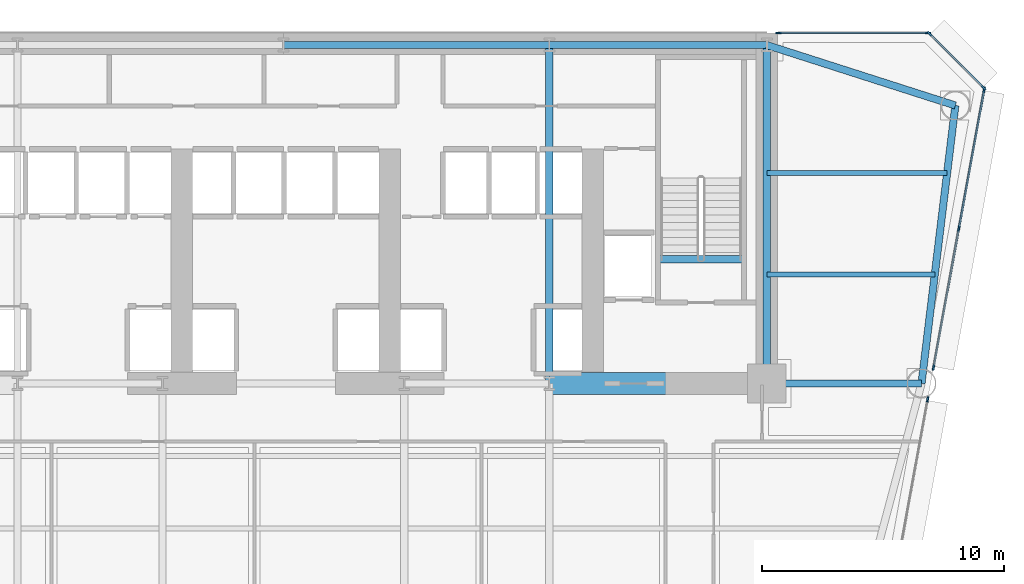
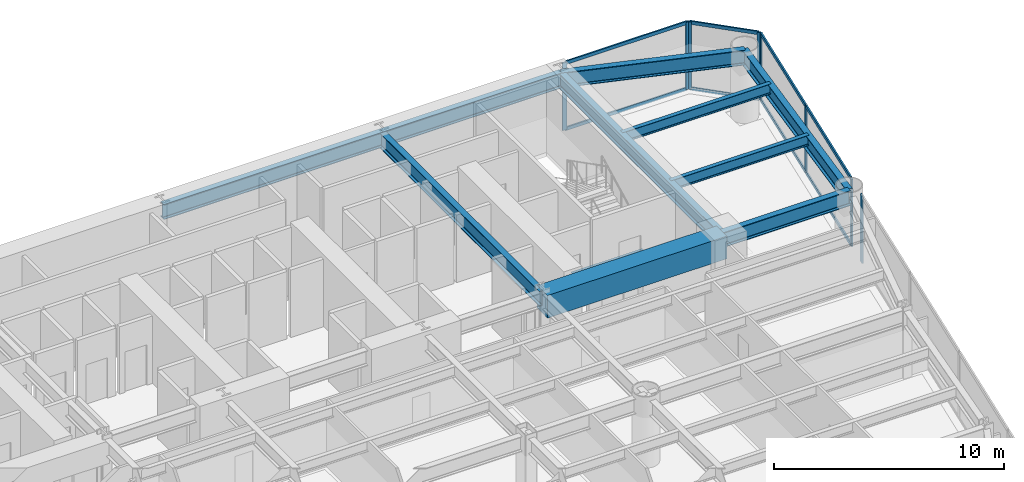
# One storey, part 6 of 14: 16 members, 11 beams, 4 elements without a shape of their own.
"""IFC4 building model written with IfcOpenShell, lengths in metres."""

from ifc_helpers import new_model, si_unit, direction, frame, origin, origin_2d, place, context, subcontext, project, spatial, rectangle, i_section, extrude, source, transform, mapped, material, layer, layer_set, material_profile, profile_set, type_object, element, aggregate, save


model = new_model("IFC4")

# Units and contexts
model_context = context("Model", 3, precision=1e-05, world=origin(), true_north=direction((0.0, 1.0)))
body_context = subcontext(model_context, "Body", "Model", "MODEL_VIEW")
ifc_project = project(units=[si_unit("LENGTHUNIT", "METRE"), si_unit("AREAUNIT", "SQUARE_METRE"), si_unit("VOLUMEUNIT", "CUBIC_METRE"), si_unit("PLANEANGLEUNIT", "RADIAN"), si_unit("MASSUNIT", "GRAM", prefix="KILO")], contexts=[model_context])

# Site, building, storey
site_placement = place(None, origin())
site = spatial("IfcSite", under=ifc_project, at=site_placement, CompositionType="ELEMENT")
building_placement = place(site_placement, origin())
building = spatial("IfcBuilding", under=site, at=building_placement, Name="Vaeldorn Concourse Tower", CompositionType="ELEMENT")
storey_placement = place(building_placement, frame((0.0, 0.0, 56.800048828125)))
storey = spatial("IfcBuildingStorey", under=building, at=storey_placement, Name="L14", CompositionType="ELEMENT", Elevation=56.800048828125)

# Beams
ifc_material_1 = material(Name="Concrete C60/75", Category="concrete")
ifc_material_profile_1 = material_profile(ifc_material_1, rectangle(XDim=0.89990234375, YDim=1.199951171875, at=origin_2d()), Name="RC 900x1200")
ifc_profile_set_1 = profile_set([ifc_material_profile_1], Name="Concrete C60/75")
beam_type_1 = type_object("IfcBeamType", Name="BM-CB-RC900", PredefinedType="BEAM", material=ifc_profile_set_1)
shared_shape_1 = source(origin(), body_context, "Body", "SweptSolid", [
    extrude(rectangle(XDim=0.89990234375, YDim=1.199951171875, at=origin_2d()), origin(), (0.0, 0.0, 1.0), 9.0),
])
beam_1_placement = place(storey_placement, frame((45.0, 36.5, 2.97998046875), z_axis=(1.0, 0.0, 0.0), x_axis=(0.0, 1.0, 0.0)))
element("IfcBeam", 1, at=beam_1_placement, inside=storey, type_object=beam_type_1, Name="Core Coupling Beam L14-2", PredefinedType="BEAM", context=body_context, shape_type="MappedRepresentation", body=[
    mapped(shared_shape_1, transform((0.0, 0.0, 0.0), scale=1.0)),
])
ifc_material_2 = material(Name="Steel S355", Category="steel")
ifc_material_profile_2 = material_profile(ifc_material_2, i_section(OverallWidth=0.300048828125, OverallDepth=0.340087890625, WebThickness=0.011962890625, FlangeThickness=0.021484375, FilletRadius=0.027099609375, at=origin_2d()), Name="HEB 340")
ifc_profile_set_2 = profile_set([ifc_material_profile_2], Name="Steel S355")
beam_type_2 = type_object("IfcBeamType", Name="BM-ST-TRIM", PredefinedType="BEAM", material=ifc_profile_set_2)
shared_shape_2 = source(origin(), body_context, "Body", "SweptSolid", [
    extrude(i_section(OverallWidth=0.300048828125, OverallDepth=0.340087890625, WebThickness=0.011962890625, FlangeThickness=0.021484375, FilletRadius=0.027099609375, at=origin_2d()), origin(), (0.0, 0.0, 1.0), 3.590087890625),
])
beam_2_placement = place(storey_placement, frame((49.47998046875, 41.639892578125, -0.39013671875), z_axis=(1.0, 0.0, 0.0), x_axis=(0.0, 1.0, 0.0)))
element("IfcBeam", 2, at=beam_2_placement, inside=storey, type_object=beam_type_2, Name="Stair Landing Trimmer Beam ST-2 L14", PredefinedType="BEAM", context=body_context, shape_type="MappedRepresentation", body=[
    mapped(shared_shape_2, transform((0.0, 0.0, 0.0), scale=1.0)),
])
ifc_material_profile_3 = material_profile(ifc_material_2, i_section(OverallWidth=0.300048828125, OverallDepth=0.800048828125, WebThickness=0.017578125, FlangeThickness=0.032958984375, FilletRadius=0.030029296875, at=origin_2d()), Name="HEB 800")
ifc_profile_set_3 = profile_set([ifc_material_profile_3], Name="Steel S355")
beam_type_3 = type_object("IfcBeamType", Name="BM-PG-HEB800", PredefinedType="BEAM", material=ifc_profile_set_3)
shared_shape_3 = source(origin(), body_context, "Body", "SweptSolid", [
    extrude(i_section(OverallWidth=0.300048828125, OverallDepth=0.800048828125, WebThickness=0.017578125, FlangeThickness=0.032958984375, FilletRadius=0.030029296875, at=origin_2d()), origin(), (0.0, 0.0, 1.0), 9.0),
])
beam_3_placement = place(storey_placement, frame((45.0, 50.5, 3.179931640625), z_axis=(1.0, 0.0, 0.0), x_axis=(0.0, 1.0, 0.0)))
element("IfcBeam", 3, at=beam_3_placement, inside=storey, type_object=beam_type_3, Name="Beam BM-L14-C-HC4-C-HC5", PredefinedType="BEAM", context=body_context, shape_type="MappedRepresentation", body=[
    mapped(shared_shape_3, transform((0.0, 0.0, 0.0), scale=1.0)),
])
shared_shape_4 = source(origin(), body_context, "Body", "SweptSolid", [
    extrude(i_section(OverallWidth=0.300048828125, OverallDepth=0.800048828125, WebThickness=0.017578125, FlangeThickness=0.032958984375, FilletRadius=0.030029296875, at=origin_2d()), origin(), (0.0, 0.0, 1.0), 11.0),
])
beam_4_placement = place(storey_placement, frame((34.0, 50.5, 3.179931640625), z_axis=(1.0, 0.0, 0.0), x_axis=(0.0, 1.0, 0.0)))
element("IfcBeam", 4, at=beam_4_placement, inside=storey, type_object=beam_type_3, Name="Beam BM-L14-C-HC3-C-HC4", PredefinedType="BEAM", context=body_context, shape_type="MappedRepresentation", body=[
    mapped(shared_shape_4, transform((0.0, 0.0, 0.0), scale=1.0)),
])
shared_shape_5 = source(origin(), body_context, "Body", "SweptSolid", [
    extrude(i_section(OverallWidth=0.300048828125, OverallDepth=0.800048828125, WebThickness=0.017578125, FlangeThickness=0.032958984375, FilletRadius=0.030029296875, at=origin_2d()), origin(), (0.0, 0.0, 1.0), 14.0),
])
for number, where, z_axis, x_axis, name in (
    (5, (45.0, 36.5, 3.179931640625), (0.0, 1.0, 0.0), (-1.0, 0.0, 0.0), "Beam BM-L14-C-FC5-C-HC4"),
    (6, (54.0, 36.5, 3.179931640625), (0.0, 1.0, 0.0), (-1.0, 0.0, 0.0), "Beam BM-L14-C-FC6-C-HC5"),
):
    element("IfcBeam", number, at=place(storey_placement, frame(where, z_axis=z_axis, x_axis=x_axis)), inside=storey, type_object=beam_type_3, Name=name, PredefinedType="BEAM", context=body_context, shape_type="MappedRepresentation", body=[
        mapped(shared_shape_5, transform((0.0, 0.0, 0.0), scale=1.0)),
    ])
shared_shape_6 = source(origin(), body_context, "Body", "SweptSolid", [
    extrude(i_section(OverallWidth=0.300048828125, OverallDepth=0.800048828125, WebThickness=0.017578125, FlangeThickness=0.032958984375, FilletRadius=0.030029296875, at=origin_2d()), origin(), (0.0, 0.0, 1.0), 8.19091796875),
])
beam_5_placement = place(storey_placement, frame((54.0, 50.5, 3.179931640625), z_axis=(0.952282843383, -0.305216949396, 0.0), x_axis=(0.305216949396, 0.952282843383, 0.0)))
element("IfcBeam", 7, at=beam_5_placement, inside=storey, type_object=beam_type_3, Name="Beam BM-L14-C-HC5-C-NE1", PredefinedType="BEAM", context=body_context, shape_type="MappedRepresentation", body=[
    mapped(shared_shape_6, transform((0.0, 0.0, 0.0), scale=1.0)),
])
shared_shape_7 = source(origin(), body_context, "Body", "SweptSolid", [
    extrude(i_section(OverallWidth=0.300048828125, OverallDepth=0.800048828125, WebThickness=0.017578125, FlangeThickness=0.032958984375, FilletRadius=0.030029296875, at=origin_2d()), origin(), (0.0, 0.0, 1.0), 11.5849609375),
])
beam_6_placement = place(storey_placement, frame((61.800048828125, 48.0, 3.179931640625), z_axis=(-0.120859382899, -0.992669637677, 0.0), x_axis=(0.992669637677, -0.120859382899, 0.0)))
element("IfcBeam", 8, at=beam_6_placement, inside=storey, type_object=beam_type_3, Name="Beam BM-L14-C-NE1-C-NE2", PredefinedType="BEAM", context=body_context, shape_type="MappedRepresentation", body=[
    mapped(shared_shape_7, transform((0.0, 0.0, 0.0), scale=1.0)),
])
shared_shape_8 = source(origin(), body_context, "Body", "SweptSolid", [
    extrude(i_section(OverallWidth=0.300048828125, OverallDepth=0.800048828125, WebThickness=0.017578125, FlangeThickness=0.032958984375, FilletRadius=0.030029296875, at=origin_2d()), origin(), (0.0, 0.0, 1.0), 6.39990234375),
])
beam_7_placement = place(storey_placement, frame((54.0, 36.5, 3.179931640625), z_axis=(1.0, 0.0, 0.0), x_axis=(0.0, 1.0, 0.0)))
element("IfcBeam", 9, at=beam_7_placement, inside=storey, type_object=beam_type_3, Name="Beam BM-L14-C-FC6-C-NE2", PredefinedType="BEAM", context=body_context, shape_type="MappedRepresentation", body=[
    mapped(shared_shape_8, transform((0.0, 0.0, 0.0), scale=1.0)),
])
ifc_material_profile_4 = material_profile(ifc_material_2, i_section(OverallWidth=0.2099609375, OverallDepth=0.550048828125, WebThickness=0.010986328125, FlangeThickness=0.01708984375, FilletRadius=0.02392578125, at=origin_2d()), Name="IPE 550")
ifc_profile_set_4 = profile_set([ifc_material_profile_4], Name="Steel S355")
beam_type_4 = type_object("IfcBeamType", Name="BM-JS-IPE550", PredefinedType="JOIST", material=ifc_profile_set_4)
shared_shape_9 = source(origin(), body_context, "Body", "SweptSolid", [
    extrude(i_section(OverallWidth=0.2099609375, OverallDepth=0.550048828125, WebThickness=0.010986328125, FlangeThickness=0.01708984375, FilletRadius=0.02392578125, at=origin_2d()), origin(), (0.0, 0.0, 1.0), 6.94775390625),
])
beam_8_placement = place(storey_placement, frame((54.0, 41.0, 3.304931640625), z_axis=(1.0, 0.0, 0.0), x_axis=(0.0, 1.0, 0.0)))
element("IfcBeam", 10, at=beam_8_placement, inside=storey, type_object=beam_type_4, Name="Beam JS-L14-NE-410", PredefinedType="JOIST", context=body_context, shape_type="MappedRepresentation", body=[
    mapped(shared_shape_9, transform((0.0, 0.0, 0.0), scale=1.0)),
])
shared_shape_10 = source(origin(), body_context, "Body", "SweptSolid", [
    extrude(i_section(OverallWidth=0.2099609375, OverallDepth=0.550048828125, WebThickness=0.010986328125, FlangeThickness=0.01708984375, FilletRadius=0.02392578125, at=origin_2d()), origin(), (0.0, 0.0, 1.0), 7.458984375),
])
beam_9_placement = place(storey_placement, frame((54.0, 45.199951171875, 3.304931640625), z_axis=(1.0, 0.0, 0.0), x_axis=(0.0, 1.0, 0.0)))
element("IfcBeam", 11, at=beam_9_placement, inside=storey, type_object=beam_type_4, Name="Beam JS-L14-NE-452", PredefinedType="JOIST", context=body_context, shape_type="MappedRepresentation", body=[
    mapped(shared_shape_10, transform((0.0, 0.0, 0.0), scale=1.0)),
])

# Curtain wall, member
ifc_material_3 = material(Name="Anodised Bronze Aluminium", Category="aluminium")
ifc_layer = layer(ifc_material_3, 0.219970703125)
ifc_layer_set = layer_set([ifc_layer], Name="Anodised Bronze Aluminium")
curtain_wall_type = type_object("IfcCurtainWallType", Name="CW-SYS-01", PredefinedType="NOTDEFINED", material=ifc_layer_set)
curtain_wall_1_placement = place(storey_placement, origin())
curtain_wall_1 = element("IfcCurtainWall", 12, at=curtain_wall_1_placement, inside=storey, type_object=curtain_wall_type, Name="Unitised Curtain Wall CW-L14-E07-1", PredefinedType="NOTDEFINED")
ifc_material_profile_5 = material_profile(ifc_material_3, rectangle(XDim=0.074951171875, YDim=0.219970703125, at=origin_2d()), Name="CWM 75x220")
ifc_profile_set_5 = profile_set([ifc_material_profile_5], Name="Anodised Bronze Aluminium")
member_type_1 = type_object("IfcMemberType", Name="CWM-BRONZE-220", PredefinedType="MULLION", material=ifc_profile_set_5)
shared_shape_11 = source(origin(), body_context, "Body", "SweptSolid", [
    extrude(rectangle(XDim=0.074951171875, YDim=0.219970703125, at=origin_2d()), origin(), (0.0, 0.0, 1.0), 3.579833984375),
])
member_1_placement = place(storey_placement, frame((60.656982421875, 35.843505859375, 0.0), z_axis=(0.0, 0.0, 1.0), x_axis=(-0.9837957391, 0.179292899269, 0.0)))
member_1 = element("IfcMember", 13, at=member_1_placement, type_object=member_type_1, Name="CW-01 mullion 6", PredefinedType="MULLION", context=body_context, shape_type="MappedRepresentation", body=[
    mapped(shared_shape_11, transform((0.0, 0.0, 0.0), scale=1.0)),
])
aggregate(curtain_wall_1, [member_1])

# Curtain wall, members
curtain_wall_2_placement = place(storey_placement, origin())
curtain_wall_2 = element("IfcCurtainWall", 14, at=curtain_wall_2_placement, inside=storey, type_object=curtain_wall_type, Name="Unitised Curtain Wall CW-L14-E07-2", PredefinedType="NOTDEFINED")
member_2_placement = place(storey_placement, frame((60.896240234375, 37.156494140625, 0.0), z_axis=(0.0, 0.0, 1.0), x_axis=(-0.983795746908, 0.179292856429, 0.0)))
member_2 = element("IfcMember", 15, at=member_2_placement, type_object=member_type_1, Name="CW-01 mullion 1", PredefinedType="MULLION", context=body_context, shape_type="MappedRepresentation", body=[
    mapped(shared_shape_11, transform((0.0, 0.0, 0.0), scale=1.0)),
])
member_3_placement = place(storey_placement, frame((61.94482421875, 42.90966796875, 0.0), z_axis=(0.0, 0.0, 1.0), x_axis=(-0.983795746908, 0.179292856429, 0.0)))
member_3 = element("IfcMember", 16, at=member_3_placement, type_object=member_type_1, Name="CW-01 mullion 2", PredefinedType="MULLION", context=body_context, shape_type="MappedRepresentation", body=[
    mapped(shared_shape_11, transform((0.0, 0.0, 0.0), scale=1.0)),
])
member_4_placement = place(storey_placement, frame((62.9931640625, 48.6630859375, 0.0), z_axis=(0.0, 0.0, 1.0), x_axis=(-0.983795746908, 0.179292856429, 0.0)))
member_4 = element("IfcMember", 17, at=member_4_placement, type_object=member_type_1, Name="CW-01 mullion 3", PredefinedType="MULLION", context=body_context, shape_type="MappedRepresentation", body=[
    mapped(shared_shape_11, transform((0.0, 0.0, 0.0), scale=1.0)),
])

curtain_wall_3_placement = place(storey_placement, origin())
curtain_wall_3 = element("IfcCurtainWall", 18, at=curtain_wall_3_placement, inside=storey, type_object=curtain_wall_type, Name="Unitised Curtain Wall CW-L14-E08-1", PredefinedType="NOTDEFINED")
member_5_placement = place(storey_placement, frame((62.973388671875, 48.7265625, 0.0), z_axis=(0.0, 0.0, 1.0), x_axis=(-0.707106781187, -0.707106781187, 0.0)))
member_5 = element("IfcMember", 19, at=member_5_placement, type_object=member_type_1, Name="CW-01 mullion 1", PredefinedType="MULLION", context=body_context, shape_type="MappedRepresentation", body=[
    mapped(shared_shape_11, transform((0.0, 0.0, 0.0), scale=1.0)),
])
member_6_placement = place(storey_placement, frame((60.7265625, 50.973388671875, 0.0), z_axis=(0.0, 0.0, 1.0), x_axis=(-0.707106781187, -0.707106781187, 0.0)))
member_6 = element("IfcMember", 20, at=member_6_placement, type_object=member_type_1, Name="CW-01 mullion 2", PredefinedType="MULLION", context=body_context, shape_type="MappedRepresentation", body=[
    mapped(shared_shape_11, transform((0.0, 0.0, 0.0), scale=1.0)),
])

curtain_wall_4_placement = place(storey_placement, origin())
curtain_wall_4 = element("IfcCurtainWall", 21, at=curtain_wall_4_placement, inside=storey, type_object=curtain_wall_type, Name="Unitised Curtain Wall CW-L14-E09-1", PredefinedType="NOTDEFINED")
member_7_placement = place(storey_placement, frame((60.66259765625, 51.0, 0.0), z_axis=(0.0, 0.0, 1.0), x_axis=(0.0, -1.0, 0.0)))
member_7 = element("IfcMember", 22, at=member_7_placement, type_object=member_type_1, Name="CW-01 mullion 1", PredefinedType="MULLION", context=body_context, shape_type="MappedRepresentation", body=[
    mapped(shared_shape_11, transform((0.0, 0.0, 0.0), scale=1.0)),
])
member_8_placement = place(storey_placement, frame((54.482421875, 51.0, 0.0), z_axis=(0.0, 0.0, 1.0), x_axis=(0.0, -1.0, 0.0)))
member_8 = element("IfcMember", 23, at=member_8_placement, type_object=member_type_1, Name="CW-01 mullion 2", PredefinedType="MULLION", context=body_context, shape_type="MappedRepresentation", body=[
    mapped(shared_shape_11, transform((0.0, 0.0, 0.0), scale=1.0)),
])

# Member
ifc_material_profile_6 = material_profile(ifc_material_3, rectangle(XDim=0.074951171875, YDim=0.179931640625, at=origin_2d()), Name="CWT 75x180")
ifc_profile_set_6 = profile_set([ifc_material_profile_6], Name="Anodised Bronze Aluminium")
member_type_2 = type_object("IfcMemberType", Name="CWT-BRONZE-180", PredefinedType="USERDEFINED", material=ifc_profile_set_6)
shared_shape_12 = source(origin(), body_context, "Body", "SweptSolid", [
    extrude(rectangle(XDim=0.074951171875, YDim=0.179931640625, at=origin_2d()), origin(), (0.0, 0.0, 1.0), 3.10302734375),
])
member_9_placement = place(storey_placement, frame((62.947021484375, 48.7529296875, 0.037353515625), z_axis=(-0.707106781187, 0.707106781187, 0.0), x_axis=(-0.707106781187, -0.707106781187, 0.0)))
member_9 = element("IfcMember", 24, at=member_9_placement, type_object=member_type_2, Name="CW-01 transom 1.1", ObjectType="TRANSOM", PredefinedType="USERDEFINED", context=body_context, shape_type="MappedRepresentation", body=[
    mapped(shared_shape_12, transform((0.0, 0.0, 0.0), scale=1.0)),
])

member_10_placement = place(storey_placement, frame((62.947021484375, 48.7529296875, 3.54248046875), z_axis=(-0.707106781187, 0.707106781187, 0.0), x_axis=(-0.707106781187, -0.707106781187, 0.0)))
member_10 = element("IfcMember", 25, at=member_10_placement, type_object=member_type_2, Name="CW-01 transom 1.2", ObjectType="TRANSOM", PredefinedType="USERDEFINED", context=body_context, shape_type="MappedRepresentation", body=[
    mapped(shared_shape_12, transform((0.0, 0.0, 0.0), scale=1.0)),
])

aggregate(curtain_wall_3, [member_5, member_6, member_9, member_10])

shared_shape_13 = source(origin(), body_context, "Body", "SweptSolid", [
    extrude(rectangle(XDim=0.074951171875, YDim=0.179931640625, at=origin_2d()), origin(), (0.0, 0.0, 1.0), 6.10498046875),
])
member_11_placement = place(storey_placement, frame((60.625, 51.0, 0.037353515625), z_axis=(-1.0, 0.0, 0.0), x_axis=(0.0, -1.0, 0.0)))
member_11 = element("IfcMember", 26, at=member_11_placement, type_object=member_type_2, Name="CW-01 transom 1.1", ObjectType="TRANSOM", PredefinedType="USERDEFINED", context=body_context, shape_type="MappedRepresentation", body=[
    mapped(shared_shape_13, transform((0.0, 0.0, 0.0), scale=1.0)),
])

member_12_placement = place(storey_placement, frame((60.625, 51.0, 3.54248046875), z_axis=(-1.0, 0.0, 0.0), x_axis=(0.0, -1.0, 0.0)))
member_12 = element("IfcMember", 27, at=member_12_placement, type_object=member_type_2, Name="CW-01 transom 1.2", ObjectType="TRANSOM", PredefinedType="USERDEFINED", context=body_context, shape_type="MappedRepresentation", body=[
    mapped(shared_shape_13, transform((0.0, 0.0, 0.0), scale=1.0)),
])

aggregate(curtain_wall_4, [member_7, member_8, member_11, member_12])

shared_shape_14 = source(origin(), body_context, "Body", "SweptSolid", [
    extrude(rectangle(XDim=0.074951171875, YDim=0.179931640625, at=origin_2d()), origin(), (0.0, 0.0, 1.0), 5.77294921875),
])
member_13_placement = place(storey_placement, frame((60.90283203125, 37.193359375, 0.037353515625), z_axis=(0.179309675026, 0.983792681637, 0.0), x_axis=(-0.983792681637, 0.179309675026, 0.0)))
member_13 = element("IfcMember", 28, at=member_13_placement, type_object=member_type_2, Name="CW-01 transom 1.1", ObjectType="TRANSOM", PredefinedType="USERDEFINED", context=body_context, shape_type="MappedRepresentation", body=[
    mapped(shared_shape_14, transform((0.0, 0.0, 0.0), scale=1.0)),
])

member_14_placement = place(storey_placement, frame((60.90283203125, 37.193359375, 3.54248046875), z_axis=(0.179309675026, 0.983792681637, 0.0), x_axis=(-0.983792681637, 0.179309675026, 0.0)))
member_14 = element("IfcMember", 29, at=member_14_placement, type_object=member_type_2, Name="CW-01 transom 1.2", ObjectType="TRANSOM", PredefinedType="USERDEFINED", context=body_context, shape_type="MappedRepresentation", body=[
    mapped(shared_shape_14, transform((0.0, 0.0, 0.0), scale=1.0)),
])

shared_shape_15 = source(origin(), body_context, "Body", "SweptSolid", [
    extrude(rectangle(XDim=0.074951171875, YDim=0.179931640625, at=origin_2d()), origin(), (0.0, 0.0, 1.0), 5.773193359375),
])
member_15_placement = place(storey_placement, frame((61.951416015625, 42.946533203125, 0.037353515625), z_axis=(0.179302215223, 0.983794041259, 0.0), x_axis=(-0.983794041259, 0.179302215223, 0.0)))
member_15 = element("IfcMember", 30, at=member_15_placement, type_object=member_type_2, Name="CW-01 transom 2.1", ObjectType="TRANSOM", PredefinedType="USERDEFINED", context=body_context, shape_type="MappedRepresentation", body=[
    mapped(shared_shape_15, transform((0.0, 0.0, 0.0), scale=1.0)),
])

member_16_placement = place(storey_placement, frame((61.951416015625, 42.946533203125, 3.54248046875), z_axis=(0.179302215223, 0.983794041259, 0.0), x_axis=(-0.983794041259, 0.179302215223, 0.0)))
member_16 = element("IfcMember", 31, at=member_16_placement, type_object=member_type_2, Name="CW-01 transom 2.2", ObjectType="TRANSOM", PredefinedType="USERDEFINED", context=body_context, shape_type="MappedRepresentation", body=[
    mapped(shared_shape_15, transform((0.0, 0.0, 0.0), scale=1.0)),
])

aggregate(curtain_wall_2, [member_2, member_3, member_4, member_13, member_14, member_15, member_16])

save(model, "model.ifc")
